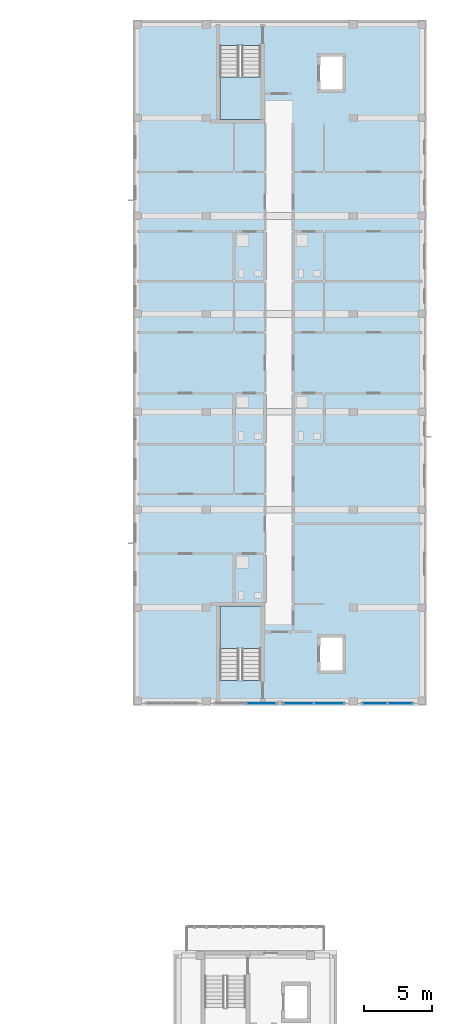
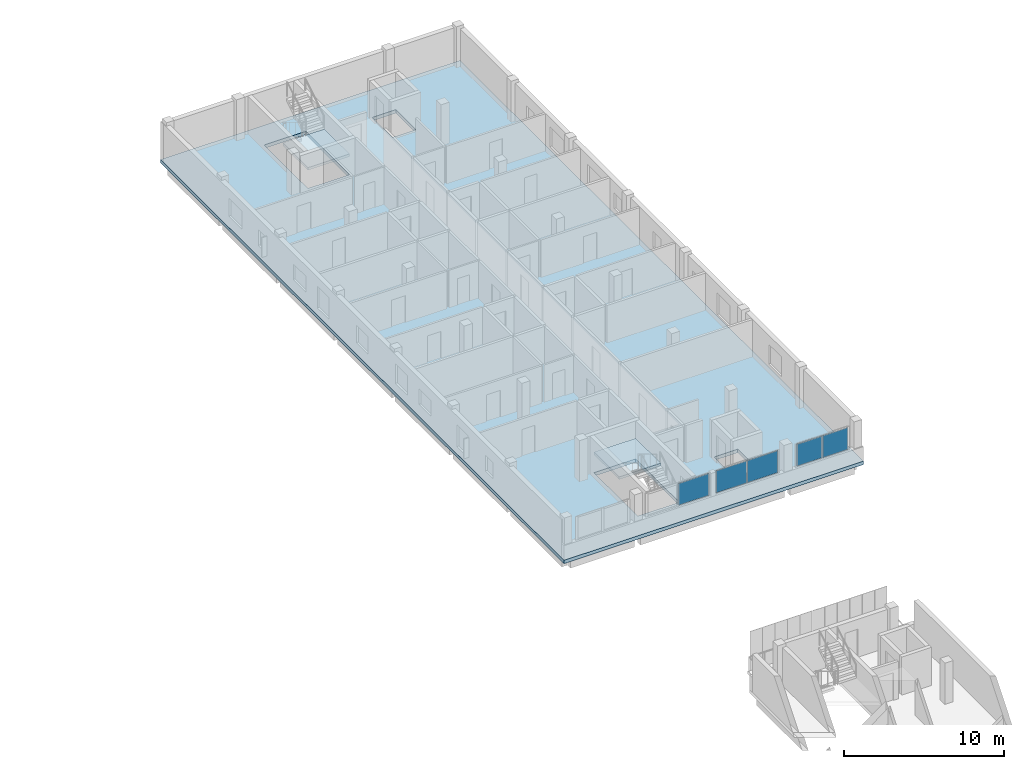
# One storey, part 10 of 35: 5 plates, 3 slabs, 5 elements without a shape of their own.
"""IFC4 building model written with IfcOpenShell, lengths in metres."""

from ifc_helpers import new_model, si_unit, derived_unit, direction, frame, origin, origin_2d, place, context, subcontext, project, spatial, polyline, rectangle, outline, extrude, material, layer, layer_set, type_object, element, aggregate, save


model = new_model("IFC4")

# Units and contexts
model_context = context("Model", 3, precision=1e-05, world=origin(), true_north=direction((0.0, 1.0)))
body_context = subcontext(model_context, "Body", "Model", "MODEL_VIEW")
ifc_project = project(units=[si_unit("LENGTHUNIT", "METRE"), si_unit("AREAUNIT", "SQUARE_METRE"), si_unit("VOLUMEUNIT", "CUBIC_METRE"), si_unit("PLANEANGLEUNIT", "RADIAN"), si_unit("MASSUNIT", "GRAM", prefix="KILO"), derived_unit("THERMALTRANSMITTANCEUNIT", [(si_unit("MASSUNIT", "GRAM", prefix="KILO"), 1), (si_unit("TIMEUNIT", "SECOND"), -3), (si_unit("THERMODYNAMICTEMPERATUREUNIT", "KELVIN"), -1)])], contexts=[model_context])

# Site, building, storey
site_placement = place(None, origin())
site = spatial("IfcSite", under=ifc_project, at=site_placement, CompositionType="ELEMENT")
building_placement = place(site_placement, origin())
building = spatial("IfcBuilding", under=site, at=building_placement, Name="Ochrekiln Boulevard Commons", CompositionType="ELEMENT")
storey_placement = place(building_placement, frame((0.0, 0.0, 30.97509765625)))
storey = spatial("IfcBuildingStorey", under=building, at=storey_placement, Name="L09", CompositionType="ELEMENT", Elevation=30.97509765625)

# Curtain wall, plate
ifc_material_1 = material(Name="Bronze-anodized extruded aluminium 6063-T6", Category="aluminium")
ifc_layer_1 = layer(ifc_material_1, 0.18408203125)
ifc_layer_set_1 = layer_set([ifc_layer_1], Name="Bronze-anodized extruded aluminium 6063-T6")
curtain_wall_type = type_object("IfcCurtainWallType", Name="CW-GABLE-B", PredefinedType="USERDEFINED", material=ifc_layer_set_1)
curtain_wall_1_placement = place(storey_placement, origin())
curtain_wall_1 = element("IfcCurtainWall", 1, at=curtain_wall_1_placement, inside=storey, type_object=curtain_wall_type, Name="Block B L09 Courtyard Glazed Gable Curtain Wall 2", ObjectType="GLAZED CURTAIN WALL", PredefinedType="USERDEFINED")
ifc_material_2 = material(Name="Spectrally selective low-E insulated glazing", Category="glass")
ifc_layer_2 = layer(ifc_material_2, 0.02392578125)
ifc_layer_set_2 = layer_set([ifc_layer_2], Name="Spectrally selective low-E insulated glazing")
plate_type_1 = type_object("IfcPlateType", Name="CWP-GLZ-1", PredefinedType="CURTAIN_PANEL", material=ifc_layer_set_2)
plate_1_placement = place(storey_placement, frame((160.638671875, 68.570068359375, 1.1748046875), z_axis=(0.0, 0.0, 1.0), x_axis=(1.0, 0.0, 0.0)))
plate_1 = element("IfcPlate", 2, at=plate_1_placement, type_object=plate_type_1, Name="CW-02 panel 2.1", PredefinedType="CURTAIN_PANEL", context=body_context, shape_type="SweptSolid", body=[
    extrude(rectangle(XDim=2.1923828125, YDim=0.02392578125, at=origin_2d()), origin(), (0.0, 0.0, 1.0), 1.659912109375),
])
aggregate(curtain_wall_1, [plate_1])

# Curtain wall, plates
curtain_wall_2_placement = place(storey_placement, origin())
curtain_wall_2 = element("IfcCurtainWall", 3, at=curtain_wall_2_placement, inside=storey, type_object=curtain_wall_type, Name="Block B L09 Courtyard Glazed Gable Curtain Wall 3", ObjectType="GLAZED CURTAIN WALL", PredefinedType="USERDEFINED")
ifc_layer_3 = layer(ifc_material_2, 0.030029296875)
ifc_layer_set_3 = layer_set([ifc_layer_3], Name="Spectrally selective low-E insulated glazing")
plate_type_2 = type_object("IfcPlateType", Name="CWP-GLZ-2", PredefinedType="CURTAIN_PANEL", material=ifc_layer_set_3)
plate_2_placement = place(storey_placement, frame((163.360107421875, 68.570068359375, 1.169921875), z_axis=(0.0, 0.0, 1.0), x_axis=(1.0, 0.0, 0.0)))
plate_2 = element("IfcPlate", 4, at=plate_2_placement, type_object=plate_type_2, Name="CW-02 panel 1.1", PredefinedType="CURTAIN_PANEL", context=body_context, shape_type="SweptSolid", body=[
    extrude(rectangle(XDim=2.199951171875, YDim=0.030029296875, at=origin_2d()), origin(), (0.0, 0.0, 1.0), 1.669921875),
])
plate_3_placement = place(storey_placement, frame((165.6201171875, 68.570068359375, 1.169921875), z_axis=(0.0, 0.0, 1.0), x_axis=(1.0, 0.0, 0.0)))
plate_3 = element("IfcPlate", 5, at=plate_3_placement, type_object=plate_type_2, Name="CW-02 panel 2.1", PredefinedType="CURTAIN_PANEL", context=body_context, shape_type="SweptSolid", body=[
    extrude(rectangle(XDim=2.199951171875, YDim=0.030029296875, at=origin_2d()), origin(), (0.0, 0.0, 1.0), 1.669921875),
])
aggregate(curtain_wall_2, [plate_2, plate_3])

curtain_wall_3_placement = place(storey_placement, origin())
curtain_wall_3 = element("IfcCurtainWall", 6, at=curtain_wall_3_placement, inside=storey, type_object=curtain_wall_type, Name="Block B L09 Courtyard Glazed Gable Curtain Wall 4", ObjectType="GLAZED CURTAIN WALL", PredefinedType="USERDEFINED")
ifc_layer_4 = layer(ifc_material_2, 0.035888671875)
ifc_layer_set_4 = layer_set([ifc_layer_4], Name="Spectrally selective low-E insulated glazing")
plate_type_3 = type_object("IfcPlateType", Name="CWP-GLZ-3", PredefinedType="CURTAIN_PANEL", material=ifc_layer_set_4)
plate_4_placement = place(storey_placement, frame((168.98876953125, 68.570068359375, 1.1748046875), z_axis=(0.0, 0.0, 1.0), x_axis=(1.0, 0.0, 0.0)))
plate_4 = element("IfcPlate", 7, at=plate_4_placement, type_object=plate_type_3, Name="CW-02 panel 1.1", PredefinedType="CURTAIN_PANEL", context=body_context, shape_type="SweptSolid", body=[
    extrude(rectangle(XDim=1.8076171875, YDim=0.035888671875, at=origin_2d()), origin(), (0.0, 0.0, 1.0), 1.659912109375),
])
plate_5_placement = place(storey_placement, frame((170.861328125, 68.570068359375, 1.1748046875), z_axis=(0.0, 0.0, 1.0), x_axis=(1.0, 0.0, 0.0)))
plate_5 = element("IfcPlate", 8, at=plate_5_placement, type_object=plate_type_3, Name="CW-02 panel 2.1", PredefinedType="CURTAIN_PANEL", context=body_context, shape_type="SweptSolid", body=[
    extrude(rectangle(XDim=1.8076171875, YDim=0.035888671875, at=origin_2d()), origin(), (0.0, 0.0, 1.0), 1.659912109375),
])
aggregate(curtain_wall_3, [plate_4, plate_5])

# Stair, slab
ifc_material_3 = material(Name="Concrete C35/45", Category="concrete")
stair_type = type_object("IfcStairType", Name="STR-DL-315", PredefinedType="TWO_STRAIGHT_RUN_STAIR", material=ifc_material_3)
stair_1_placement = place(storey_placement, origin())
stair_1 = element("IfcStair", 9, at=stair_1_placement, inside=storey, type_object=stair_type, Name="L09 Enclosed Exit Stair ST-B1", PredefinedType="TWO_STRAIGHT_RUN_STAIR")
ifc_layer_5 = layer(ifc_material_3, 0.199951171875)
ifc_layer_set_5 = layer_set([ifc_layer_5], Name="Concrete C35/45")
slab_type_1 = type_object("IfcSlabType", Name="SLB-LND-200", PredefinedType="LANDING", material=ifc_layer_set_5)
slab_1_placement = place(storey_placement, frame((0.0, 0.0, 1.375)))
slab_1 = element("IfcSlab", 10, at=slab_1_placement, type_object=slab_type_1, Name="ST-B1 landing 1", PredefinedType="LANDING", context=body_context, shape_type="SweptSolid", body=[
    extrude(outline(polyline([(160.60009765625, 72.590087890625), (160.60009765625, 75.719970703125), (157.60009765625, 75.719970703125), (157.60009765625, 72.590087890625), (160.60009765625, 72.590087890625)])), origin(), (0.0, 0.0, 1.0), 0.199951171875),
])
aggregate(stair_1, [slab_1])

stair_2_placement = place(storey_placement, origin())
stair_2 = element("IfcStair", 11, at=stair_2_placement, inside=storey, type_object=stair_type, Name="L09 Enclosed Exit Stair ST-B2", PredefinedType="TWO_STRAIGHT_RUN_STAIR")
slab_2_placement = place(storey_placement, frame((0.0, 0.0, 1.375)))
slab_2 = element("IfcSlab", 12, at=slab_2_placement, type_object=slab_type_1, Name="ST-B2 landing 1", PredefinedType="LANDING", context=body_context, shape_type="SweptSolid", body=[
    extrude(outline(polyline([(157.60009765625, 114.610107421875), (157.60009765625, 111.47998046875), (160.60009765625, 111.47998046875), (160.60009765625, 114.610107421875), (157.60009765625, 114.610107421875)])), origin(), (0.0, 0.0, 1.0), 0.199951171875),
])
aggregate(stair_2, [slab_2])

# Slab
ifc_layer_6 = layer(ifc_material_3, 0.260009765625)
ifc_layer_set_6 = layer_set([ifc_layer_6], Name="Concrete C35/45")
slab_type_2 = type_object("IfcSlabType", Name="SLB-RES-260", PredefinedType="FLOOR", material=ifc_layer_set_6)
slab_3_placement = place(storey_placement, frame((0.0, 0.0, -0.260009765625)))
element("IfcSlab", 13, at=slab_3_placement, inside=storey, type_object=slab_type_2, Name="Block B L09 Reinforced Concrete Floor Slab", PredefinedType="FLOOR", context=body_context, shape_type="SweptSolid", body=[
    extrude(outline(polyline([(151.199951171875, 68.39990234375), (172.800048828125, 68.39990234375), (172.800048828125, 118.800048828125), (151.199951171875, 118.800048828125), (151.199951171875, 68.39990234375)]), holes=[polyline([(160.60009765625, 70.2705078125), (160.60009765625, 75.719970703125), (157.60009765625, 75.719970703125), (157.60009765625, 70.2705078125), (160.60009765625, 70.2705078125)]), polyline([(157.60009765625, 116.929443359375), (157.60009765625, 111.47998046875), (160.60009765625, 111.47998046875), (160.60009765625, 116.929443359375), (157.60009765625, 116.929443359375)]), polyline([(164.949951171875, 70.949951171875), (166.64990234375, 70.949951171875), (166.64990234375, 73.449951171875), (164.949951171875, 73.449951171875), (164.949951171875, 70.949951171875)]), polyline([(164.949951171875, 113.64990234375), (166.64990234375, 113.64990234375), (166.64990234375, 116.14990234375), (164.949951171875, 116.14990234375), (164.949951171875, 113.64990234375)])]), origin(), (0.0, 0.0, 1.0), 0.260009765625),
])

save(model, "model.ifc")
